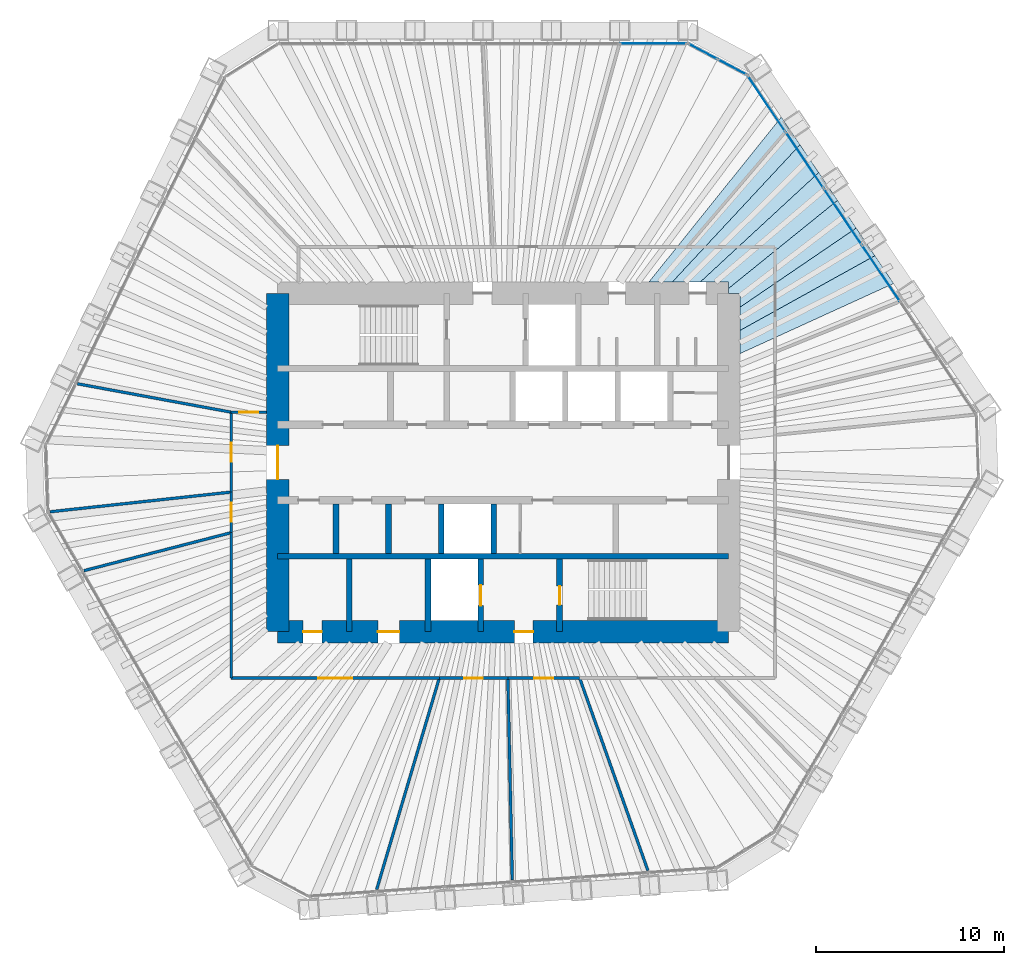
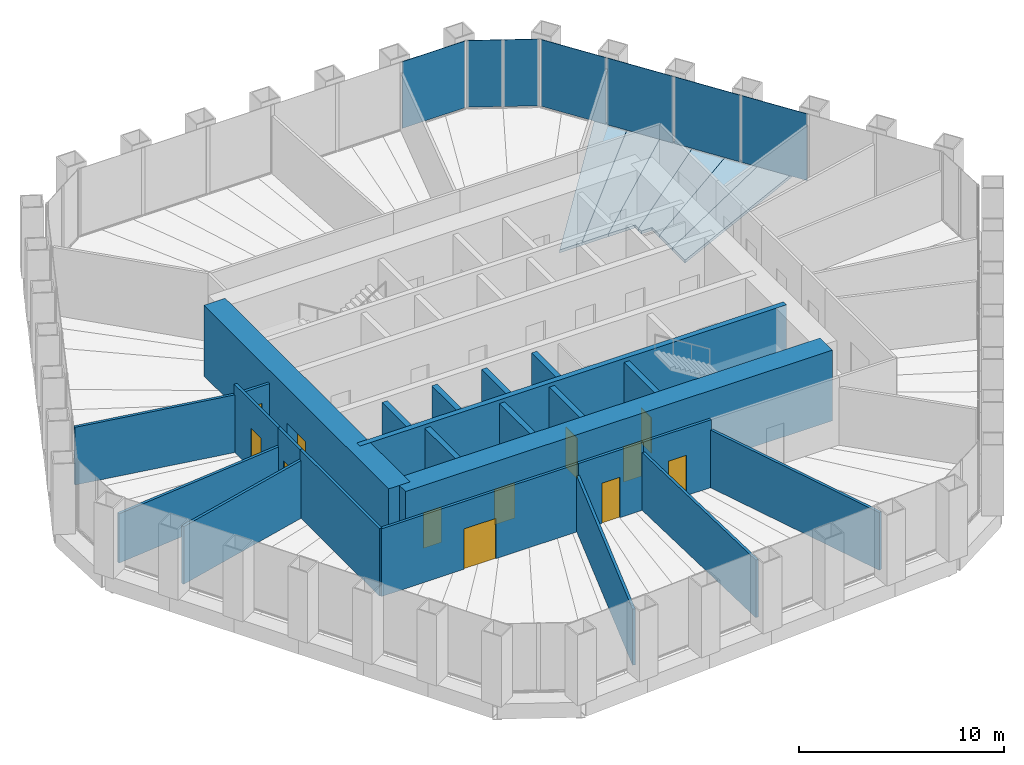
# One storey, part 10 of 13: 24 walls, 12 doors, 7 plates, 6 slabs, 12 openings, 3 elements without a shape of their own.
"""IFC4 building model written with IfcOpenShell, lengths in metres."""

from ifc_helpers import new_model, si_unit, direction, frame, frame_2d, origin, origin_2d, place, context, subcontext, project, spatial, polyline, rectangle, outline, extrude, material, layer, layer_set, type_object, element, fill, aggregate, save


model = new_model("IFC4")

# Units and contexts
model_context = context("Model", 3, precision=1e-05, world=origin(), true_north=direction((0.0, 1.0)))
body_context = subcontext(model_context, "Body", "Model", "MODEL_VIEW")
ifc_project = project(units=[si_unit("LENGTHUNIT", "METRE"), si_unit("AREAUNIT", "SQUARE_METRE"), si_unit("VOLUMEUNIT", "CUBIC_METRE"), si_unit("PLANEANGLEUNIT", "RADIAN"), si_unit("MASSUNIT", "GRAM", prefix="KILO")], contexts=[model_context])

# Site, building, storey
site_placement = place(None, origin())
site = spatial("IfcSite", under=ifc_project, at=site_placement, CompositionType="ELEMENT")
building_placement = place(site_placement, origin())
building = spatial("IfcBuilding", under=site, at=building_placement, Name="Qingtian Harvest Tower", CompositionType="ELEMENT")
storey_placement = place(building_placement, frame((0.0, 0.0, 205.60009765625)))
storey = spatial("IfcBuildingStorey", under=building, at=storey_placement, Name="L44", CompositionType="ELEMENT", Elevation=205.60009765625)

# Slabs
ifc_material_1 = material(Name="Concrete fc' 35 MPa", Category="concrete")
ifc_layer_1 = layer(ifc_material_1, 0.169921875)
ifc_layer_set_1 = layer_set([ifc_layer_1], Name="Composite floor slab FS17 170")
slab_type = type_object("IfcSlabType", Name="Composite floor slab FS17 170", PredefinedType="FLOOR", material=ifc_layer_set_1)
slab_1_placement = place(storey_placement, frame((0.0, 0.0, -0.170166015625)))
element("IfcSlab", 1, at=slab_1_placement, inside=storey, type_object=slab_type, Name="Floor slab L44 panel D45", PredefinedType="FLOOR", context=body_context, shape_type="SweptSolid", body=[
    extrude(outline(polyline([(12.60009765625, 7.023681640625), (19.7841796875, 11.003662109375), (20.780517578125, 9.526611328125), (12.60009765625, 5.7900390625), (12.60009765625, 7.023681640625)])), origin(), (0.0, 0.0, 1.0), 0.170166015625),
])
slab_2_placement = place(storey_placement, frame((0.0, 0.0, -0.170166015625)))
element("IfcSlab", 2, at=slab_2_placement, inside=storey, type_object=slab_type, Name="Floor slab L44 panel D46", PredefinedType="FLOOR", context=body_context, shape_type="SweptSolid", body=[
    extrude(outline(polyline([(12.60009765625, 8.260498046875), (18.791259765625, 12.475830078125), (19.7841796875, 11.003662109375), (12.60009765625, 7.023681640625), (12.60009765625, 8.260498046875)])), origin(), (0.0, 0.0, 1.0), 0.170166015625),
])
slab_3_placement = place(storey_placement, frame((0.0, 0.0, -0.170166015625)))
element("IfcSlab", 3, at=slab_3_placement, inside=storey, type_object=slab_type, Name="Floor slab L44 panel D47", PredefinedType="FLOOR", context=body_context, shape_type="SweptSolid", body=[
    extrude(outline(polyline([(12.60009765625, 9.0), (12.0, 9.0), (12.0, 9.2666015625), (17.795654296875, 13.95166015625), (18.791259765625, 12.475830078125), (12.60009765625, 8.260498046875), (12.60009765625, 9.0)])), origin(), (0.0, 0.0, 1.0), 0.170166015625),
])
slab_4_placement = place(storey_placement, frame((0.0, 0.0, -0.170166015625)))
element("IfcSlab", 4, at=slab_4_placement, inside=storey, type_object=slab_type, Name="Floor slab L44 panel D48", PredefinedType="FLOOR", context=body_context, shape_type="SweptSolid", body=[
    extrude(outline(polyline([(12.0, 9.60009765625), (10.48583984375, 9.60009765625), (16.79638671875, 15.43310546875), (17.795654296875, 13.95166015625), (12.0, 9.2666015625), (12.0, 9.60009765625)])), origin(), (0.0, 0.0, 1.0), 0.170166015625),
])
slab_5_placement = place(storey_placement, frame((0.0, 0.0, -0.170166015625)))
element("IfcSlab", 5, at=slab_5_placement, inside=storey, type_object=slab_type, Name="Floor slab L44 panel D49", PredefinedType="FLOOR", context=body_context, shape_type="SweptSolid", body=[
    extrude(outline(polyline([(8.998291015625, 9.60009765625), (15.800048828125, 16.910400390625), (16.79638671875, 15.43310546875), (10.48583984375, 9.60009765625), (8.998291015625, 9.60009765625)])), origin(), (0.0, 0.0, 1.0), 0.170166015625),
])
slab_6_placement = place(storey_placement, frame((0.0, 0.0, -0.170166015625)))
element("IfcSlab", 6, at=slab_6_placement, inside=storey, type_object=slab_type, Name="Floor slab L44 panel D50", PredefinedType="FLOOR", context=body_context, shape_type="SweptSolid", body=[
    extrude(outline(polyline([(7.751220703125, 9.60009765625), (14.8037109375, 18.3876953125), (15.800048828125, 16.910400390625), (8.998291015625, 9.60009765625), (7.751220703125, 9.60009765625)])), origin(), (0.0, 0.0, 1.0), 0.170166015625),
])

# Curtain wall, plate
ifc_material_2 = material(Name="Bronze-anodised aluminium curtain wall", Category="aluminium")
curtain_wall_type = type_object("IfcCurtainWallType", Name="Curtain wall CW4 office", PredefinedType="USERDEFINED", material=ifc_material_2)
curtain_wall_1_placement = place(storey_placement, origin())
curtain_wall_1 = element("IfcCurtainWall", 7, at=curtain_wall_1_placement, inside=storey, type_object=curtain_wall_type, Name="Curtain wall CW4 L44 N0-5", ObjectType="RECESSED CURTAIN WALL", PredefinedType="USERDEFINED")
ifc_material_3 = material(Name="Bronze-tinted laminated insulating glass", Category="glass")
ifc_layer_2 = layer(ifc_material_3, 0.030029296875)
ifc_layer_set_2 = layer_set([ifc_layer_2], Name="Glazed panel CWP tinted IGU")
plate_type = type_object("IfcPlateType", Name="Glazed panel CWP tinted IGU", PredefinedType="CURTAIN_PANEL", material=ifc_layer_set_2)
plate_1_placement = place(storey_placement, frame((7.996337890625, 22.300048828125, 0.06494140625), z_axis=(0.0, 0.0, 1.0), x_axis=(1.0, 0.0, 0.0)))
plate_1 = element("IfcPlate", 8, at=plate_1_placement, type_object=plate_type, Name="CW4 panel 6.1", PredefinedType="CURTAIN_PANEL", context=body_context, shape_type="SweptSolid", body=[
    extrude(rectangle(XDim=3.5361328125, YDim=0.030029296875, at=origin_2d()), origin(), (0.0, 0.0, 1.0), 3.965087890625),
])
aggregate(curtain_wall_1, [plate_1])

# Curtain wall, plates
curtain_wall_2_placement = place(storey_placement, origin())
curtain_wall_2 = element("IfcCurtainWall", 9, at=curtain_wall_2_placement, inside=storey, type_object=curtain_wall_type, Name="Curtain wall CW4 L44 NC", ObjectType="RECESSED CURTAIN WALL", PredefinedType="USERDEFINED")
plate_2_placement = place(storey_placement, frame((10.634033203125, 21.8720703125, 0.06494140625), z_axis=(0.0, 0.0, 1.0), x_axis=(0.882947592859, -0.469471562786, 0.0)))
plate_2 = element("IfcPlate", 10, at=plate_2_placement, type_object=plate_type, Name="CW4 panel 1.1", PredefinedType="CURTAIN_PANEL", context=body_context, shape_type="SweptSolid", body=[
    extrude(rectangle(XDim=1.69287109375, YDim=0.030029296875, at=origin_2d()), origin(), (0.0, 0.0, 1.0), 3.965087890625),
])
plate_3_placement = place(storey_placement, frame((12.186279296875, 21.046875, 0.06494140625), z_axis=(0.0, 0.0, 1.0), x_axis=(0.882947592859, -0.469471562786, 0.0)))
plate_3 = element("IfcPlate", 11, at=plate_3_placement, type_object=plate_type, Name="CW4 panel 2.1", PredefinedType="CURTAIN_PANEL", context=body_context, shape_type="SweptSolid", body=[
    extrude(rectangle(XDim=1.69287109375, YDim=0.030029296875, at=origin_2d()), origin(), (0.0, 0.0, 1.0), 3.965087890625),
])
aggregate(curtain_wall_2, [plate_2, plate_3])

curtain_wall_3_placement = place(storey_placement, origin())
curtain_wall_3 = element("IfcCurtainWall", 12, at=curtain_wall_3_placement, inside=storey, type_object=curtain_wall_type, Name="Curtain wall CW4 L44 NE0-5", ObjectType="RECESSED CURTAIN WALL", PredefinedType="USERDEFINED")
plate_4_placement = place(storey_placement, frame((14.01611328125, 19.09912109375, 0.06494140625), z_axis=(0.0, 0.0, 1.0), x_axis=(0.559192903471, -0.829037572555, 0.0)))
plate_4 = element("IfcPlate", 13, at=plate_4_placement, type_object=plate_type, Name="CW4 panel 1.1", PredefinedType="CURTAIN_PANEL", context=body_context, shape_type="SweptSolid", body=[
    extrude(rectangle(XDim=3.5361328125, YDim=0.030029296875, at=origin_2d()), origin(), (0.0, 0.0, 1.0), 3.965087890625),
])
plate_5_placement = place(storey_placement, frame((16.038818359375, 16.100341796875, 0.06494140625), z_axis=(0.0, 0.0, 1.0), x_axis=(0.559192903471, -0.829037572555, 0.0)))
plate_5 = element("IfcPlate", 14, at=plate_5_placement, type_object=plate_type, Name="CW4 panel 2.1", PredefinedType="CURTAIN_PANEL", context=body_context, shape_type="SweptSolid", body=[
    extrude(rectangle(XDim=3.568603515625, YDim=0.030029296875, at=origin_2d()), origin(), (0.0, 0.0, 1.0), 3.965087890625),
])
plate_6_placement = place(storey_placement, frame((18.07080078125, 13.087890625, 0.06494140625), z_axis=(0.0, 0.0, 1.0), x_axis=(0.559192903471, -0.829037572555, 0.0)))
plate_6 = element("IfcPlate", 15, at=plate_6_placement, type_object=plate_type, Name="CW4 panel 3.1", PredefinedType="CURTAIN_PANEL", context=body_context, shape_type="SweptSolid", body=[
    extrude(rectangle(XDim=3.568603515625, YDim=0.030029296875, at=origin_2d()), origin(), (0.0, 0.0, 1.0), 3.965087890625),
])
plate_7_placement = place(storey_placement, frame((20.1025390625, 10.07568359375, 0.06494140625), z_axis=(0.0, 0.0, 1.0), x_axis=(0.559192903471, -0.829037572555, 0.0)))
plate_7 = element("IfcPlate", 16, at=plate_7_placement, type_object=plate_type, Name="CW4 panel 4.1", PredefinedType="CURTAIN_PANEL", context=body_context, shape_type="SweptSolid", body=[
    extrude(rectangle(XDim=3.568603515625, YDim=0.030029296875, at=origin_2d()), origin(), (0.0, 0.0, 1.0), 3.965087890625),
])
aggregate(curtain_wall_3, [plate_4, plate_5, plate_6, plate_7])

# Walls
ifc_material_4 = material(Name="Concrete fc' 70 MPa", Category="concrete")
ifc_layer_3 = layer(ifc_material_4, 0.300048828125)
ifc_layer_set_3 = layer_set([ifc_layer_3], Name="Core inner wall RC5 300")
wall_type_1 = type_object("IfcWallType", Name="Core inner wall RC5 300", PredefinedType="SHEAR", material=ifc_layer_set_3)
wall_1_placement = place(storey_placement, frame((-12.0, -5.0, 0.0), z_axis=(0.0, 0.0, 1.0), x_axis=(1.0, 0.0, 0.0)))
element("IfcWall", 17, at=wall_1_placement, inside=storey, type_object=wall_type_1, Name="Core wall IS5 L44", PredefinedType="SHEAR", context=body_context, shape_type="SweptSolid", body=[
    extrude(rectangle(XDim=24.0, YDim=0.300048828125, at=frame_2d((12.0, 0.0))), origin(), (0.0, 0.0, 1.0), 4.199951171875),
])
ifc_material_5 = material(Name="Precast concrete shaft panel", Category="concrete")
ifc_layer_4 = layer(ifc_material_5, 0.300048828125)
ifc_layer_set_4 = layer_set([ifc_layer_4], Name="Core shaft partition SW1 300")
wall_type_2 = type_object("IfcWallType", Name="Core shaft partition SW1 300", PredefinedType="PARTITIONING", material=ifc_layer_set_4)
for number, where, z_axis, x_axis, name in (
    (18, (-8.89990234375, -4.85009765625, 0.0), (0.0, 0.0, 1.0), (0.0, 1.0, 0.0), "Core shaft partition XB1 L44"),
    (19, (-6.10009765625, -4.85009765625, 0.0), (0.0, 0.0, 1.0), (0.0, 1.0, 0.0), "Core shaft partition XB2 L44"),
    (20, (-3.300048828125, -4.85009765625, 0.0), (0.0, 0.0, 1.0), (0.0, 1.0, 0.0), "Core shaft partition XB3 L44"),
    (21, (-0.5, -4.85009765625, 0.0), (0.0, 0.0, 1.0), (0.0, 1.0, 0.0), "Core shaft partition XB4 L44"),
):
    element("IfcWall", number, at=place(storey_placement, frame(where, z_axis=z_axis, x_axis=x_axis)), inside=storey, type_object=wall_type_2, Name=name, PredefinedType="PARTITIONING", context=body_context, shape_type="SweptSolid", body=[
        extrude(rectangle(XDim=2.650146484375, YDim=0.300048828125, at=frame_2d((1.3251953125, 0.0))), origin(), (0.0, 0.0, 1.0), 3.97998046875),
    ])
for number, where, z_axis, x_axis, name in (
    (22, (-8.199951171875, -9.0, 0.0), (0.0, 0.0, 1.0), (0.0, 1.0, 0.0), "Core shaft partition XS1 L44"),
    (23, (-4.0, -9.0, 0.0), (0.0, 0.0, 1.0), (0.0, 1.0, 0.0), "Core shaft partition XS2 L44"),
):
    element("IfcWall", number, at=place(storey_placement, frame(where, z_axis=z_axis, x_axis=x_axis)), inside=storey, type_object=wall_type_2, Name=name, PredefinedType="PARTITIONING", context=body_context, shape_type="SweptSolid", body=[
        extrude(rectangle(XDim=3.85009765625, YDim=0.300048828125, at=frame_2d((1.925048828125, 0.0))), origin(), (0.0, 0.0, 1.0), 3.97998046875),
    ])

# Wall, opening, door
wall_2_placement = place(storey_placement, frame((-1.199951171875, -9.0, 0.0), z_axis=(0.0, 0.0, 1.0), x_axis=(0.0, 1.0, 0.0)))
wall_2 = element("IfcWall", 24, at=wall_2_placement, inside=storey, type_object=wall_type_2, Name="Core shaft partition XS3 L44", PredefinedType="PARTITIONING", context=body_context, shape_type="SweptSolid", body=[
    extrude(rectangle(XDim=3.85009765625, YDim=0.300048828125, at=frame_2d((1.925048828125, 0.0))), origin(), (0.0, 0.0, 1.0), 3.97998046875),
])
opening_1_placement = place(wall_2_placement, frame((1.375, 0.0, 0.0)))
opening_1 = element("IfcOpeningElement", 25, at=opening_1_placement, cuts=wall_2, Name="Opening LD1", PredefinedType="OPENING", context=body_context, shape_type="SweptSolid", body=[
    extrude(rectangle(XDim=1.10009765625, YDim=2.39990234375, at=frame_2d((0.550048828125, 1.199951171875))), frame((0.0, 0.159912109375, 0.0), z_axis=(0.0, -1.0, 0.0), x_axis=(1.0, 0.0, 0.0)), (0.0, 0.0, 1.0), 0.320068359375),
])
ifc_material_6 = material(Name="Stainless steel lift landing door", Category="steel")
door_type_1 = type_object("IfcDoorType", Name="Lift landing door LD1 1 HR", OperationType="DOUBLE_DOOR_SLIDING", PredefinedType="DOOR", material=ifc_material_6)
door_1_placement = place(opening_1_placement, origin())
door_1 = element("IfcDoor", 26, at=door_1_placement, inside=storey, type_object=door_type_1, Name="FL2 landing door L44", OperationType="DOUBLE_DOOR_SLIDING", OverallHeight=2.39990234375, OverallWidth=1.10009765625, PredefinedType="DOOR", context=body_context, shape_type="SweptSolid", body=[
    extrude(rectangle(XDim=1.10009765625, YDim=2.39990234375, at=frame_2d((0.550048828125, 1.199951171875))), frame((0.0, 0.02490234375, 0.0), z_axis=(0.0, -1.0, 0.0), x_axis=(1.0, 0.0, 0.0)), (0.0, 0.0, 1.0), 0.050048828125),
])
fill(opening_1, door_1)

wall_3_placement = place(storey_placement, frame((3.0, -9.0, 0.0), z_axis=(0.0, 0.0, 1.0), x_axis=(0.0, 1.0, 0.0)))
wall_3 = element("IfcWall", 27, at=wall_3_placement, inside=storey, type_object=wall_type_2, Name="Core shaft partition XS4 L44", PredefinedType="PARTITIONING", context=body_context, shape_type="SweptSolid", body=[
    extrude(rectangle(XDim=3.85009765625, YDim=0.300048828125, at=frame_2d((1.925048828125, 0.0))), origin(), (0.0, 0.0, 1.0), 3.97998046875),
])
opening_2_placement = place(wall_3_placement, frame((1.425048828125, 0.0, 0.0)))
opening_2 = element("IfcOpeningElement", 28, at=opening_2_placement, cuts=wall_3, Name="Opening FD1", PredefinedType="OPENING", context=body_context, shape_type="SweptSolid", body=[
    extrude(rectangle(XDim=1.0, YDim=2.10009765625, at=frame_2d((0.5, 1.050048828125))), frame((0.0, 0.159912109375, 0.0), z_axis=(0.0, -1.0, 0.0), x_axis=(1.0, 0.0, 0.0)), (0.0, 0.0, 1.0), 0.320068359375),
])
ifc_material_7 = material(Name="Steel-faced door leaf", Category="steel")
door_type_2 = type_object("IfcDoorType", Name="Fire door FD1 single 1 HR", OperationType="SINGLE_SWING_LEFT", PredefinedType="DOOR", material=ifc_material_7)
door_2_placement = place(opening_2_placement, origin())
door_2 = element("IfcDoor", 29, at=door_2_placement, inside=storey, type_object=door_type_2, Name="S2 door L44", OperationType="SINGLE_SWING_RIGHT", OverallHeight=2.10009765625, OverallWidth=1.0, PredefinedType="DOOR", context=body_context, shape_type="SweptSolid", body=[
    extrude(rectangle(XDim=1.0, YDim=2.10009765625, at=frame_2d((0.5, 1.050048828125))), frame((0.0, 0.02490234375, 0.0), z_axis=(0.0, -1.0, 0.0), x_axis=(1.0, 0.0, 0.0)), (0.0, 0.0, 1.0), 0.050048828125),
])
fill(opening_2, door_2)

# Wall, openings, doors
ifc_material_8 = material(Name="Concrete fc' 70 MPa", Category="concrete")
ifc_layer_5 = layer(ifc_material_8, 1.199951171875)
ifc_layer_set_5 = layer_set([ifc_layer_5], Name="Core wall RC2 1200")
wall_type_3 = type_object("IfcWallType", Name="Core wall RC2 1200", PredefinedType="SHEAR", material=ifc_layer_set_5)
wall_4_placement = place(storey_placement, frame((-12.0, -9.0, 0.0), z_axis=(0.0, 0.0, 1.0), x_axis=(1.0, 0.0, 0.0)))
wall_4 = element("IfcWall", 30, at=wall_4_placement, inside=storey, type_object=wall_type_3, Name="Core wall CS L44", PredefinedType="SHEAR", context=body_context, shape_type="SweptSolid", body=[
    extrude(rectangle(XDim=24.0, YDim=1.199951171875, at=frame_2d((12.0, 0.0))), origin(), (0.0, 0.0, 1.0), 4.199951171875),
])
opening_3_placement = place(wall_4_placement, frame((1.35009765625, 0.0, 0.0)))
opening_3 = element("IfcOpeningElement", 31, at=opening_3_placement, cuts=wall_4, Name="Opening FD1", PredefinedType="OPENING", context=body_context, shape_type="SweptSolid", body=[
    extrude(rectangle(XDim=1.0, YDim=2.10009765625, at=frame_2d((0.5, 1.050048828125))), frame((0.0, 0.60986328125, 0.0), z_axis=(0.0, -1.0, 0.0), x_axis=(1.0, 0.0, 0.0)), (0.0, 0.0, 1.0), 1.219970703125),
])
opening_4_placement = place(wall_4_placement, frame((5.324951171875, 0.0, 0.0)))
opening_4 = element("IfcOpeningElement", 32, at=opening_4_placement, cuts=wall_4, Name="Opening AD1", PredefinedType="OPENING", context=body_context, shape_type="SweptSolid", body=[
    extrude(rectangle(XDim=1.14990234375, YDim=2.10009765625, at=frame_2d((0.574951171875, 1.050048828125))), frame((0.0, 0.60986328125, 0.0), z_axis=(0.0, -1.0, 0.0), x_axis=(1.0, 0.0, 0.0)), (0.0, 0.0, 1.0), 1.219970703125),
])
opening_5_placement = place(wall_4_placement, frame((12.60009765625, 0.0, 0.0)))
opening_5 = element("IfcOpeningElement", 33, at=opening_5_placement, cuts=wall_4, Name="Opening FD1", PredefinedType="OPENING", context=body_context, shape_type="SweptSolid", body=[
    extrude(rectangle(XDim=1.0, YDim=2.10009765625, at=frame_2d((0.5, 1.050048828125))), frame((0.0, 0.60986328125, 0.0), z_axis=(0.0, -1.0, 0.0), x_axis=(1.0, 0.0, 0.0)), (0.0, 0.0, 1.0), 1.219970703125),
])
ifc_material_9 = material(Name="Laminated timber door leaf", Category="wood")
door_type_3 = type_object("IfcDoorType", Name="Accessible WC door AD1 single", OperationType="SINGLE_SWING_LEFT", PredefinedType="DOOR", material=ifc_material_9)
door_3_placement = place(opening_4_placement, origin())
door_3 = element("IfcDoor", 34, at=door_3_placement, inside=storey, type_object=door_type_3, Name="AWC door L44", OperationType="SINGLE_SWING_LEFT", OverallHeight=2.10009765625, OverallWidth=1.14990234375, PredefinedType="DOOR", context=body_context, shape_type="SweptSolid", body=[
    extrude(rectangle(XDim=1.14990234375, YDim=2.10009765625, at=frame_2d((0.574951171875, 1.050048828125))), frame((0.0, 0.02490234375, 0.0), z_axis=(0.0, -1.0, 0.0), x_axis=(1.0, 0.0, 0.0)), (0.0, 0.0, 1.0), 0.050048828125),
])
fill(opening_4, door_3)
door_4_placement = place(opening_3_placement, origin())
door_4 = element("IfcDoor", 35, at=door_4_placement, inside=storey, type_object=door_type_2, Name="CLN door L44", OperationType="SINGLE_SWING_LEFT", OverallHeight=2.10009765625, OverallWidth=1.0, PredefinedType="DOOR", context=body_context, shape_type="SweptSolid", body=[
    extrude(rectangle(XDim=1.0, YDim=2.10009765625, at=frame_2d((0.5, 1.050048828125))), frame((0.0, 0.02490234375, 0.0), z_axis=(0.0, -1.0, 0.0), x_axis=(1.0, 0.0, 0.0)), (0.0, 0.0, 1.0), 0.050048828125),
])
fill(opening_3, door_4)
door_5_placement = place(opening_5_placement, origin())
door_5 = element("IfcDoor", 36, at=door_5_placement, inside=storey, type_object=door_type_2, Name="V2 door L44", OperationType="SINGLE_SWING_RIGHT", OverallHeight=2.10009765625, OverallWidth=1.0, PredefinedType="DOOR", context=body_context, shape_type="SweptSolid", body=[
    extrude(rectangle(XDim=1.0, YDim=2.10009765625, at=frame_2d((0.5, 1.050048828125))), frame((0.0, 0.02490234375, 0.0), z_axis=(0.0, -1.0, 0.0), x_axis=(1.0, 0.0, 0.0)), (0.0, 0.0, 1.0), 0.050048828125),
])
fill(opening_5, door_5)

# Wall, opening, door
wall_5_placement = place(storey_placement, frame((-12.0, -9.0, 0.0), z_axis=(0.0, 0.0, 1.0), x_axis=(0.0, 1.0, 0.0)))
wall_5 = element("IfcWall", 37, at=wall_5_placement, inside=storey, type_object=wall_type_3, Name="Core wall CW L44", PredefinedType="SHEAR", context=body_context, shape_type="SweptSolid", body=[
    extrude(rectangle(XDim=18.0, YDim=1.199951171875, at=frame_2d((9.0, 0.0))), origin(), (0.0, 0.0, 1.0), 4.199951171875),
])
opening_6_placement = place(wall_5_placement, frame((8.10009765625, 0.0, 0.0)))
opening_6 = element("IfcOpeningElement", 38, at=opening_6_placement, cuts=wall_5, Name="Opening FD2", PredefinedType="OPENING", context=body_context, shape_type="SweptSolid", body=[
    extrude(rectangle(XDim=1.800048828125, YDim=2.10009765625, at=frame_2d((0.89990234375, 1.050048828125))), frame((0.0, 0.60986328125, 0.0), z_axis=(0.0, -1.0, 0.0), x_axis=(1.0, 0.0, 0.0)), (0.0, 0.0, 1.0), 1.219970703125),
])
ifc_material_10 = material(Name="Steel-faced door leaf", Category="steel")
door_type_4 = type_object("IfcDoorType", Name="Fire door FD2 double 1 HR", OperationType="DOUBLE_DOOR_DOUBLE_SWING", PredefinedType="DOOR", material=ifc_material_10)
door_6_placement = place(opening_6_placement, origin())
door_6 = element("IfcDoor", 39, at=door_6_placement, inside=storey, type_object=door_type_4, Name="LOBBY-W door L44", OperationType="DOUBLE_DOOR_DOUBLE_SWING", OverallHeight=2.10009765625, OverallWidth=1.800048828125, PredefinedType="DOOR", context=body_context, shape_type="SweptSolid", body=[
    extrude(rectangle(XDim=1.800048828125, YDim=2.10009765625, at=frame_2d((0.89990234375, 1.050048828125))), frame((0.0, 0.02490234375, 0.0), z_axis=(0.0, -1.0, 0.0), x_axis=(1.0, 0.0, 0.0)), (0.0, 0.0, 1.0), 0.050048828125),
])
fill(opening_6, door_6)

# Wall
ifc_material_11 = material(Name="Gypsum board on steel studs", Category="steel")
ifc_layer_6 = layer(ifc_material_11, 0.14990234375)
ifc_layer_set_6 = layer_set([ifc_layer_6], Name="Partition PT1 150")
wall_type_4 = type_object("IfcWallType", Name="Partition PT1 150", PredefinedType="PARTITIONING", material=ifc_layer_set_6)
wall_6_placement = place(storey_placement, frame((-6.734130859375, -22.7314453125, 0.0), z_axis=(0.0, 0.0, 1.0), x_axis=(0.284049386564, 0.958809650553, 0.0)))
element("IfcWall", 40, at=wall_6_placement, inside=storey, type_object=wall_type_4, Name="Workplace zone wall L44", PredefinedType="PARTITIONING", context=body_context, shape_type="SweptSolid", body=[
    extrude(rectangle(XDim=11.739990234375, YDim=0.14990234375, at=frame_2d((5.8701171875, 0.0))), origin(), (0.0, 0.0, 1.0), 3.329833984375),
])

# Wall, opening, door
wall_7_placement = place(storey_placement, frame((-3.3994140625, -11.47509765625, 0.0), z_axis=(0.0, 0.0, 1.0), x_axis=(-1.0, 0.0, 0.0)))
wall_7 = element("IfcWall", 41, at=wall_7_placement, inside=storey, type_object=wall_type_4, Name="Workplace zone wall L44", PredefinedType="PARTITIONING", context=body_context, shape_type="SweptSolid", body=[
    extrude(rectangle(XDim=11.07568359375, YDim=0.14990234375, at=frame_2d((5.537841796875, 0.0))), origin(), (0.0, 0.0, 1.0), 4.02978515625),
])
opening_7_placement = place(wall_7_placement, frame((4.6376953125, 0.0, 0.0)))
opening_7 = element("IfcOpeningElement", 42, at=opening_7_placement, cuts=wall_7, Name="Opening D3", PredefinedType="OPENING", context=body_context, shape_type="SweptSolid", body=[
    extrude(rectangle(XDim=1.800048828125, YDim=2.39990234375, at=frame_2d((0.89990234375, 1.199951171875))), frame((0.0, 0.0849609375, 0.0), z_axis=(0.0, -1.0, 0.0), x_axis=(1.0, 0.0, 0.0)), (0.0, 0.0, 1.0), 0.169921875),
])
ifc_material_12 = material(Name="Laminated timber door leaf", Category="wood")
door_type_5 = type_object("IfcDoorType", Name="Room door D3 double", OperationType="DOUBLE_DOOR_DOUBLE_SWING", PredefinedType="DOOR", material=ifc_material_12)
door_7_placement = place(opening_7_placement, origin())
door_7 = element("IfcDoor", 43, at=door_7_placement, inside=storey, type_object=door_type_5, Name="Workplace zone door L44", OperationType="DOUBLE_DOOR_DOUBLE_SWING", OverallHeight=2.39990234375, OverallWidth=1.800048828125, PredefinedType="DOOR", context=body_context, shape_type="SweptSolid", body=[
    extrude(rectangle(XDim=1.800048828125, YDim=2.39990234375, at=frame_2d((0.89990234375, 1.199951171875))), frame((0.0, 0.02490234375, 0.0), z_axis=(0.0, -1.0, 0.0), x_axis=(1.0, 0.0, 0.0)), (0.0, 0.0, 1.0), 0.050048828125),
])
fill(opening_7, door_7)

# Walls
wall_8_placement = place(storey_placement, frame((-14.47509765625, -11.47509765625, 0.0), z_axis=(0.0, 0.0, 1.0), x_axis=(0.0, 1.0, 0.0)))
element("IfcWall", 44, at=wall_8_placement, inside=storey, type_object=wall_type_4, Name="Workplace zone wall L44", PredefinedType="PARTITIONING", context=body_context, shape_type="SweptSolid", body=[
    extrude(rectangle(XDim=7.739013671875, YDim=0.14990234375, at=frame_2d((3.86962890625, 0.0))), origin(), (0.0, 0.0, 1.0), 4.02978515625),
])
wall_9_placement = place(storey_placement, frame((-22.3134765625, -5.75927734375, 0.0), z_axis=(0.0, 0.0, 1.0), x_axis=(0.968265788926, 0.249922712042, 0.0)))
element("IfcWall", 45, at=wall_9_placement, inside=storey, type_object=wall_type_4, Name="Private office wall L44", PredefinedType="PARTITIONING", context=body_context, shape_type="SweptSolid", body=[
    extrude(rectangle(XDim=8.09521484375, YDim=0.14990234375, at=frame_2d((4.047607421875, 0.0))), origin(), (0.0, 0.0, 1.0), 3.429931640625),
])

# Wall, opening, door
wall_10_placement = place(storey_placement, frame((-14.47509765625, -3.736083984375, 0.0), z_axis=(0.0, 0.0, 1.0), x_axis=(0.0, 1.0, 0.0)))
wall_10 = element("IfcWall", 46, at=wall_10_placement, inside=storey, type_object=wall_type_4, Name="Private office wall L44", PredefinedType="PARTITIONING", context=body_context, shape_type="SweptSolid", body=[
    extrude(rectangle(XDim=2.16015625, YDim=0.14990234375, at=frame_2d((1.080078125, 0.0))), origin(), (0.0, 0.0, 1.0), 4.02978515625),
])
opening_8_placement = place(wall_10_placement, frame((0.580078125, 0.0, 0.0)))
opening_8 = element("IfcOpeningElement", 47, at=opening_8_placement, cuts=wall_10, Name="Opening D2", PredefinedType="OPENING", context=body_context, shape_type="SweptSolid", body=[
    extrude(rectangle(XDim=1.0, YDim=2.39990234375, at=frame_2d((0.5, 1.199951171875))), frame((0.0, 0.0849609375, 0.0), z_axis=(0.0, -1.0, 0.0), x_axis=(1.0, 0.0, 0.0)), (0.0, 0.0, 1.0), 0.169921875),
])
ifc_material_13 = material(Name="Laminated timber door leaf", Category="wood")
door_type_6 = type_object("IfcDoorType", Name="Room door D2 single", OperationType="SINGLE_SWING_LEFT", PredefinedType="DOOR", material=ifc_material_13)
door_8_placement = place(opening_8_placement, origin())
door_8 = element("IfcDoor", 48, at=door_8_placement, inside=storey, type_object=door_type_6, Name="Private office door L44", OperationType="SINGLE_SWING_RIGHT", OverallHeight=2.39990234375, OverallWidth=1.0, PredefinedType="DOOR", context=body_context, shape_type="SweptSolid", body=[
    extrude(rectangle(XDim=1.0, YDim=2.39990234375, at=frame_2d((0.5, 1.199951171875))), frame((0.0, 0.02490234375, 0.0), z_axis=(0.0, -1.0, 0.0), x_axis=(1.0, 0.0, 0.0)), (0.0, 0.0, 1.0), 0.050048828125),
])
fill(opening_8, door_8)

# Wall
wall_11_placement = place(storey_placement, frame((-24.127685546875, -2.626708984375, 0.0), z_axis=(0.0, 0.0, 1.0), x_axis=(0.994126892449, 0.108220708326, 0.0)))
element("IfcWall", 49, at=wall_11_placement, inside=storey, type_object=wall_type_4, Name="Private office wall L44", PredefinedType="PARTITIONING", context=body_context, shape_type="SweptSolid", body=[
    extrude(rectangle(XDim=9.709716796875, YDim=0.14990234375, at=frame_2d((4.85498046875, 0.0))), origin(), (0.0, 0.0, 1.0), 2.929931640625),
])

# Wall, opening, door
wall_12_placement = place(storey_placement, frame((-14.47509765625, -1.575927734375, 0.0), z_axis=(0.0, 0.0, 1.0), x_axis=(0.0, 1.0, 0.0)))
wall_12 = element("IfcWall", 50, at=wall_12_placement, inside=storey, type_object=wall_type_4, Name="Private office wall L44", PredefinedType="PARTITIONING", context=body_context, shape_type="SweptSolid", body=[
    extrude(rectangle(XDim=4.251708984375, YDim=0.14990234375, at=frame_2d((2.1259765625, 0.0))), origin(), (0.0, 0.0, 1.0), 4.02978515625),
])
opening_9_placement = place(wall_12_placement, frame((1.625732421875, 0.0, 0.0)))
opening_9 = element("IfcOpeningElement", 51, at=opening_9_placement, cuts=wall_12, Name="Opening D2", PredefinedType="OPENING", context=body_context, shape_type="SweptSolid", body=[
    extrude(rectangle(XDim=1.0, YDim=2.39990234375, at=frame_2d((0.5, 1.199951171875))), frame((0.0, 0.0849609375, 0.0), z_axis=(0.0, -1.0, 0.0), x_axis=(1.0, 0.0, 0.0)), (0.0, 0.0, 1.0), 0.169921875),
])
door_9_placement = place(opening_9_placement, origin())
door_9 = element("IfcDoor", 52, at=door_9_placement, inside=storey, type_object=door_type_6, Name="Private office door L44", OperationType="SINGLE_SWING_RIGHT", OverallHeight=2.39990234375, OverallWidth=1.0, PredefinedType="DOOR", context=body_context, shape_type="SweptSolid", body=[
    extrude(rectangle(XDim=1.0, YDim=2.39990234375, at=frame_2d((0.5, 1.199951171875))), frame((0.0, 0.02490234375, 0.0), z_axis=(0.0, -1.0, 0.0), x_axis=(1.0, 0.0, 0.0)), (0.0, 0.0, 1.0), 0.050048828125),
])
fill(opening_9, door_9)

# Wall
wall_13_placement = place(storey_placement, frame((-22.660888671875, 4.188720703125, 0.0), z_axis=(0.0, 0.0, 1.0), x_axis=(0.983345347199, -0.181746879316, 0.0)))
element("IfcWall", 53, at=wall_13_placement, inside=storey, type_object=wall_type_4, Name="Workplace zone wall L44", PredefinedType="PARTITIONING", context=body_context, shape_type="SweptSolid", body=[
    extrude(rectangle(XDim=8.324462890625, YDim=0.14990234375, at=frame_2d((4.162109375, 0.0))), origin(), (0.0, 0.0, 1.0), 3.429931640625),
])

# Wall, opening, door
wall_14_placement = place(storey_placement, frame((-14.47509765625, 2.67578125, 0.0), z_axis=(0.0, 0.0, 1.0), x_axis=(1.0, 0.0, 0.0)))
wall_14 = element("IfcWall", 54, at=wall_14_placement, inside=storey, type_object=wall_type_4, Name="Workplace zone wall L44", PredefinedType="PARTITIONING", context=body_context, shape_type="SweptSolid", body=[
    extrude(rectangle(XDim=1.875, YDim=0.14990234375, at=frame_2d((0.9375, 0.0))), origin(), (0.0, 0.0, 1.0), 3.429931640625),
])
opening_10_placement = place(wall_14_placement, frame((0.4375, 0.0, 0.0)))
opening_10 = element("IfcOpeningElement", 55, at=opening_10_placement, cuts=wall_14, Name="Opening D2", PredefinedType="OPENING", context=body_context, shape_type="SweptSolid", body=[
    extrude(rectangle(XDim=1.0, YDim=2.39990234375, at=frame_2d((0.5, 1.199951171875))), frame((0.0, 0.0849609375, 0.0), z_axis=(0.0, -1.0, 0.0), x_axis=(1.0, 0.0, 0.0)), (0.0, 0.0, 1.0), 0.169921875),
])
door_10_placement = place(opening_10_placement, origin())
door_10 = element("IfcDoor", 56, at=door_10_placement, inside=storey, type_object=door_type_6, Name="Workplace zone door L44", OperationType="SINGLE_SWING_RIGHT", OverallHeight=2.39990234375, OverallWidth=1.0, PredefinedType="DOOR", context=body_context, shape_type="SweptSolid", body=[
    extrude(rectangle(XDim=1.0, YDim=2.39990234375, at=frame_2d((0.5, 1.199951171875))), frame((0.0, 0.02490234375, 0.0), z_axis=(0.0, -1.0, 0.0), x_axis=(1.0, 0.0, 0.0)), (0.0, 0.0, 1.0), 0.050048828125),
])
fill(opening_10, door_10)

# Wall
wall_15_placement = place(storey_placement, frame((7.702880859375, -21.71923828125, 0.0), z_axis=(0.0, 0.0, 1.0), x_axis=(-0.334269551553, 0.942477515331, 0.0)))
element("IfcWall", 57, at=wall_15_placement, inside=storey, type_object=wall_type_4, Name="Meeting room wall L44", PredefinedType="PARTITIONING", context=body_context, shape_type="SweptSolid", body=[
    extrude(rectangle(XDim=10.869384765625, YDim=0.14990234375, at=frame_2d((5.4345703125, 0.0))), origin(), (0.0, 0.0, 1.0), 3.429931640625),
])

# Wall, opening, door
wall_16_placement = place(storey_placement, frame((4.069580078125, -11.47509765625, 0.0), z_axis=(0.0, 0.0, 1.0), x_axis=(-1.0, 0.0, 0.0)))
wall_16 = element("IfcWall", 58, at=wall_16_placement, inside=storey, type_object=wall_type_4, Name="Meeting room wall L44", PredefinedType="PARTITIONING", context=body_context, shape_type="SweptSolid", body=[
    extrude(rectangle(XDim=3.8193359375, YDim=0.14990234375, at=frame_2d((1.90966796875, 0.0))), origin(), (0.0, 0.0, 1.0), 4.02978515625),
])
opening_11_placement = place(wall_16_placement, frame((1.40966796875, 0.0, 0.0)))
opening_11 = element("IfcOpeningElement", 59, at=opening_11_placement, cuts=wall_16, Name="Opening D2", PredefinedType="OPENING", context=body_context, shape_type="SweptSolid", body=[
    extrude(rectangle(XDim=1.0, YDim=2.39990234375, at=frame_2d((0.5, 1.199951171875))), frame((0.0, 0.0849609375, 0.0), z_axis=(0.0, -1.0, 0.0), x_axis=(1.0, 0.0, 0.0)), (0.0, 0.0, 1.0), 0.169921875),
])
door_11_placement = place(opening_11_placement, origin())
door_11 = element("IfcDoor", 60, at=door_11_placement, inside=storey, type_object=door_type_6, Name="Meeting room door L44", OperationType="SINGLE_SWING_RIGHT", OverallHeight=2.39990234375, OverallWidth=1.0, PredefinedType="DOOR", context=body_context, shape_type="SweptSolid", body=[
    extrude(rectangle(XDim=1.0, YDim=2.39990234375, at=frame_2d((0.5, 1.199951171875))), frame((0.0, 0.02490234375, 0.0), z_axis=(0.0, -1.0, 0.0), x_axis=(1.0, 0.0, 0.0)), (0.0, 0.0, 1.0), 0.050048828125),
])
fill(opening_11, door_11)

# Wall
wall_17_placement = place(storey_placement, frame((0.484619140625, -22.220458984375, 0.0), z_axis=(0.0, 0.0, 1.0), x_axis=(-0.021806550804, 0.999762208899, 0.0)))
element("IfcWall", 61, at=wall_17_placement, inside=storey, type_object=wall_type_4, Name="Workplace zone wall L44", PredefinedType="PARTITIONING", context=body_context, shape_type="SweptSolid", body=[
    extrude(rectangle(XDim=10.747802734375, YDim=0.14990234375, at=frame_2d((5.3740234375, 0.0))), origin(), (0.0, 0.0, 1.0), 3.429931640625),
])

# Wall, opening, door
wall_18_placement = place(storey_placement, frame((0.250244140625, -11.47509765625, 0.0), z_axis=(0.0, 0.0, 1.0), x_axis=(-1.0, 0.0, 0.0)))
wall_18 = element("IfcWall", 62, at=wall_18_placement, inside=storey, type_object=wall_type_4, Name="Workplace zone wall L44", PredefinedType="PARTITIONING", context=body_context, shape_type="SweptSolid", body=[
    extrude(rectangle(XDim=3.649658203125, YDim=0.14990234375, at=frame_2d((1.82470703125, 0.0))), origin(), (0.0, 0.0, 1.0), 4.02978515625),
])
opening_12_placement = place(wall_18_placement, frame((1.324951171875, 0.0, 0.0)))
opening_12 = element("IfcOpeningElement", 63, at=opening_12_placement, cuts=wall_18, Name="Opening D2", PredefinedType="OPENING", context=body_context, shape_type="SweptSolid", body=[
    extrude(rectangle(XDim=1.0, YDim=2.39990234375, at=frame_2d((0.5, 1.199951171875))), frame((0.0, 0.0849609375, 0.0), z_axis=(0.0, -1.0, 0.0), x_axis=(1.0, 0.0, 0.0)), (0.0, 0.0, 1.0), 0.169921875),
])
door_12_placement = place(opening_12_placement, origin())
door_12 = element("IfcDoor", 64, at=door_12_placement, inside=storey, type_object=door_type_6, Name="Workplace zone door L44", OperationType="SINGLE_SWING_LEFT", OverallHeight=2.39990234375, OverallWidth=1.0, PredefinedType="DOOR", context=body_context, shape_type="SweptSolid", body=[
    extrude(rectangle(XDim=1.0, YDim=2.39990234375, at=frame_2d((0.5, 1.199951171875))), frame((0.0, 0.02490234375, 0.0), z_axis=(0.0, -1.0, 0.0), x_axis=(1.0, 0.0, 0.0)), (0.0, 0.0, 1.0), 0.050048828125),
])
fill(opening_12, door_12)

save(model, "model.ifc")
